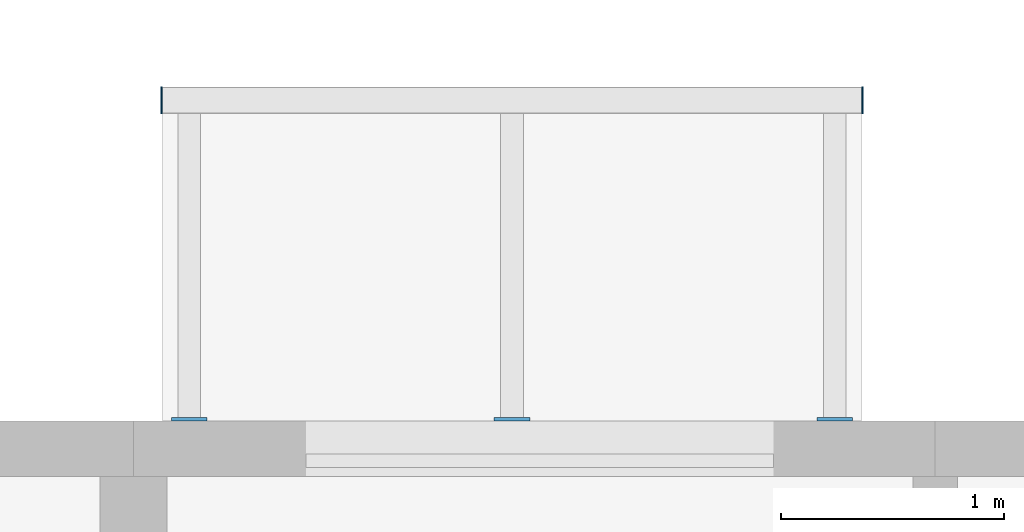
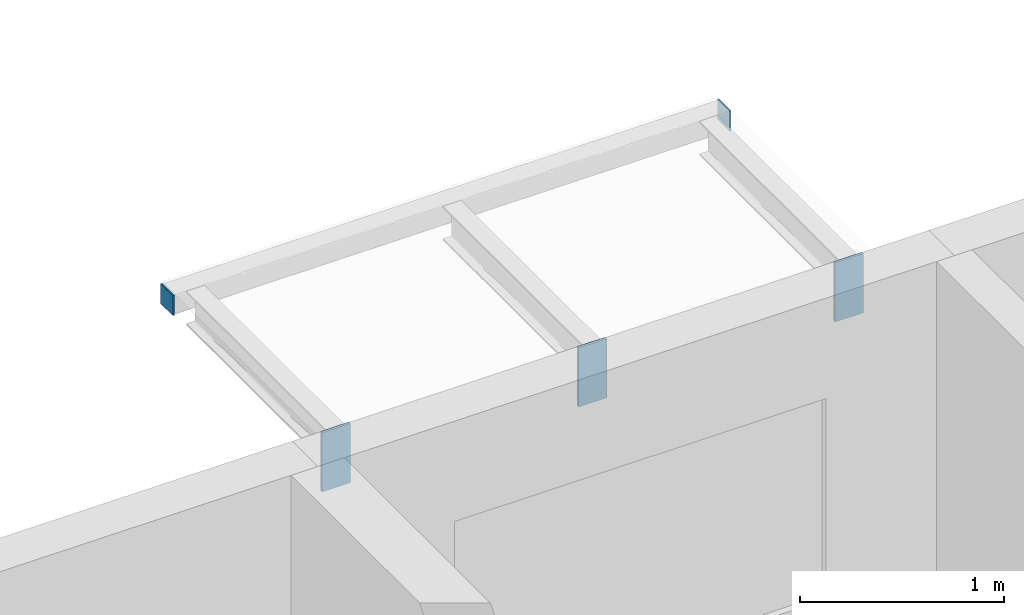
# One storey, part 68 of 100: 5 discrete accessories.
"""IFC4 building model written with IfcOpenShell, lengths in metres."""

from ifc_helpers import new_model, si_unit, direction, frame, origin, origin_2d, place, context, subcontext, project, spatial, rectangle, extrude, material, layer, layer_set, type_object, element, save


model = new_model("IFC4")

# Units and contexts
model_context = context("Model", 3, precision=1e-05, world=origin(), true_north=direction((0.0, 1.0)))
body_context = subcontext(model_context, "Body", "Model", "MODEL_VIEW")
ifc_project = project(units=[si_unit("LENGTHUNIT", "METRE"), si_unit("AREAUNIT", "SQUARE_METRE"), si_unit("VOLUMEUNIT", "CUBIC_METRE"), si_unit("PLANEANGLEUNIT", "RADIAN"), si_unit("MASSUNIT", "GRAM", prefix="KILO")], contexts=[model_context])

# Site, building, storey
site_placement = place(None, origin())
site = spatial("IfcSite", under=ifc_project, at=site_placement, CompositionType="ELEMENT")
building_placement = place(site_placement, origin())
building = spatial("IfcBuilding", under=site, at=building_placement, Name="Ridgestep Commons", CompositionType="ELEMENT")
storey_placement = place(building_placement, frame((0.0, 0.0, 9.0)))
storey = spatial("IfcBuildingStorey", under=building, at=storey_placement, Name="L03", CompositionType="ELEMENT", Elevation=9.0)

# Discrete accessories
ifc_material_1 = material(Name="Weathering steel S355J2W", Category="steel")
ifc_layer_1 = layer(ifc_material_1, 0.014892578125)
ifc_layer_set_1 = layer_set([ifc_layer_1], Name="Tray bracket plate 15")
discrete_accessory_type_1 = type_object("IfcDiscreteAccessoryType", Name="Tray bracket plate 15", PredefinedType="BRACKET", material=ifc_layer_set_1)
for number, where, z_axis, x_axis, name in (
    (1, (62.64990234375, 77.257568359375, 2.63671875), (0.0, 0.0, 1.0), (1.0, 0.0, 0.0), "Tray bracket B4T1-04.1"),
    (2, (64.10009765625, 77.257568359375, 2.63671875), (0.0, 0.0, 1.0), (1.0, 0.0, 0.0), "Tray bracket B4T1-04.2"),
    (3, (65.550048828125, 77.257568359375, 2.63671875), (0.0, 0.0, 1.0), (1.0, 0.0, 0.0), "Tray bracket B4T1-04.3"),
):
    element("IfcDiscreteAccessory", number, at=place(storey_placement, frame(where, z_axis=z_axis, x_axis=x_axis)), inside=storey, type_object=discrete_accessory_type_1, Name=name, PredefinedType="BRACKET", context=body_context, shape_type="SweptSolid", body=[
        extrude(rectangle(XDim=0.159912109375, YDim=0.014892578125, at=origin_2d()), origin(), (0.0, 0.0, 1.0), 0.353271484375),
    ])
ifc_material_2 = material(Name="Weathering steel S355J2W", Category="steel")
ifc_layer_2 = layer(ifc_material_2, 0.008056640625)
ifc_layer_set_2 = layer_set([ifc_layer_2], Name="Tray edge member end plate 120 x 120 x 8")
discrete_accessory_type_2 = type_object("IfcDiscreteAccessoryType", Name="Tray edge member end plate 120 x 120 x 8", PredefinedType="BRACKET", material=ifc_layer_set_2)
for number, where, z_axis, x_axis, name in (
    (4, (62.52587890625, 78.68994140625, 2.869873046875), (0.0, 0.0, 1.0), (1.0, 0.0, 0.0), "Tray edge member end plate B4T1-04 west"),
    (5, (65.674072265625, 78.68994140625, 2.869873046875), (0.0, 0.0, 1.0), (1.0, 0.0, 0.0), "Tray edge member end plate B4T1-04 east"),
):
    element("IfcDiscreteAccessory", number, at=place(storey_placement, frame(where, z_axis=z_axis, x_axis=x_axis)), inside=storey, type_object=discrete_accessory_type_2, Name=name, PredefinedType="BRACKET", context=body_context, shape_type="SweptSolid", body=[
        extrude(rectangle(XDim=0.008056640625, YDim=0.1201171875, at=origin_2d()), origin(), (0.0, 0.0, 1.0), 0.1201171875),
    ])

save(model, "model.ifc")
